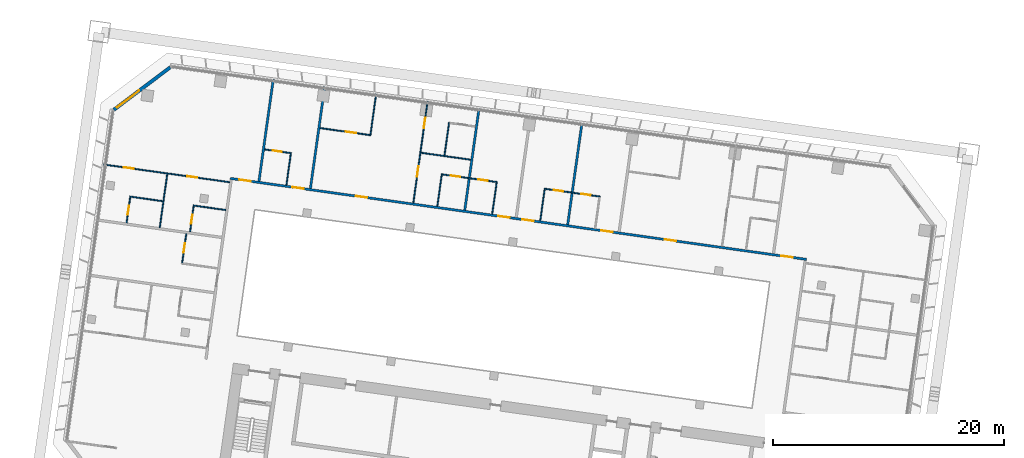
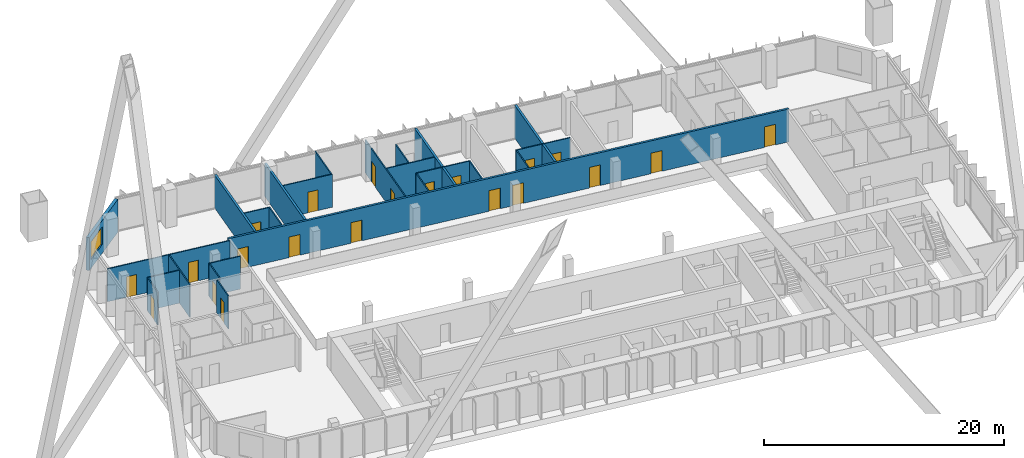
# One storey, part 40 of 49: 25 walls, 21 doors, 1 window, 22 openings.
"""IFC4 building model written with IfcOpenShell, lengths in metres."""

from ifc_helpers import new_model, si_unit, direction, frame, frame_2d, origin, place, context, subcontext, project, spatial, rectangle, extrude, material, layer, layer_set, type_object, element, fill, save


model = new_model("IFC4")

# Units and contexts
model_context = context("Model", 3, precision=1e-05, world=origin(), true_north=direction((0.0, 1.0)))
body_context = subcontext(model_context, "Body", "Model", "MODEL_VIEW")
ifc_project = project(units=[si_unit("LENGTHUNIT", "METRE"), si_unit("AREAUNIT", "SQUARE_METRE"), si_unit("VOLUMEUNIT", "CUBIC_METRE"), si_unit("PLANEANGLEUNIT", "RADIAN"), si_unit("MASSUNIT", "GRAM", prefix="KILO")], contexts=[model_context])

# Site, building, storey
site_placement = place(None, origin())
site = spatial("IfcSite", under=ifc_project, at=site_placement, CompositionType="ELEMENT")
building_placement = place(site_placement, origin())
building = spatial("IfcBuilding", under=site, at=building_placement, Name="Mirante Cascada Hotel Towers", CompositionType="ELEMENT")
storey_placement = place(building_placement, frame((0.0, 0.0, 66.1)))
storey = spatial("IfcBuildingStorey", under=building, at=storey_placement, Name="L13", CompositionType="ELEMENT", Elevation=66.1)

# Wall, openings, doors
ifc_material_1 = material(Name="Fire-rated plasterboard on metal studs")
ifc_layer_1 = layer(ifc_material_1, 0.2)
ifc_layer_set_1 = layer_set([ifc_layer_1], Name="Compartment wall 200 EI 120")
wall_type_1 = type_object("IfcWallType", Name="Compartment wall 200 EI 120", PredefinedType="PARTITIONING", material=ifc_layer_set_1)
wall_1_placement = place(storey_placement, frame((-39.1051, 9.3779, 0.0), z_axis=(0.0, 0.0, 1.0), x_axis=(-0.9902681, 0.1391727, 0.0)))
wall_1 = element("IfcWall", 1, at=wall_1_placement, inside=storey, type_object=wall_type_1, Name="Wall 1-L13-20", PredefinedType="PARTITIONING", context=body_context, shape_type="SweptSolid", body=[
    extrude(rectangle(XDim=50.4, YDim=0.2, at=frame_2d((25.2, 0.0))), origin(), (0.0, 0.0, 1.0), 3.35),
])
opening_1_placement = place(wall_1_placement, frame((1.2, 0.0, 0.0)))
opening_1 = element("IfcOpeningElement", 2, at=opening_1_placement, cuts=wall_1, Name="Opening D1-L13-12", PredefinedType="OPENING", context=body_context, shape_type="SweptSolid", body=[
    extrude(rectangle(XDim=1.0, YDim=2.1, at=frame_2d((0.5, 1.05))), frame((0.0, 0.1, 0.0), z_axis=(0.0, -1.0, 0.0), x_axis=(1.0, 0.0, 0.0)), (0.0, 0.0, 1.0), 0.2),
])
opening_2_placement = place(wall_1_placement, frame((11.4, 0.0, 0.0)))
opening_2 = element("IfcOpeningElement", 3, at=opening_2_placement, cuts=wall_1, Name="Opening D1-L13-13", PredefinedType="OPENING", context=body_context, shape_type="SweptSolid", body=[
    extrude(rectangle(XDim=1.0, YDim=2.1, at=frame_2d((0.5, 1.05))), frame((0.0, 0.1, 0.0), z_axis=(0.0, -1.0, 0.0), x_axis=(1.0, 0.0, 0.0)), (0.0, 0.0, 1.0), 0.2),
])
opening_3_placement = place(wall_1_placement, frame((16.95, 0.0, 0.0)))
opening_3 = element("IfcOpeningElement", 4, at=opening_3_placement, cuts=wall_1, Name="Opening D1-L13-14", PredefinedType="OPENING", context=body_context, shape_type="SweptSolid", body=[
    extrude(rectangle(XDim=1.0, YDim=2.1, at=frame_2d((0.5, 1.05))), frame((0.0, 0.1, 0.0), z_axis=(0.0, -1.0, 0.0), x_axis=(1.0, 0.0, 0.0)), (0.0, 0.0, 1.0), 0.2),
])
opening_4_placement = place(wall_1_placement, frame((23.85, 0.0, 0.0)))
opening_4 = element("IfcOpeningElement", 5, at=opening_4_placement, cuts=wall_1, Name="Opening D1-L13-15", PredefinedType="OPENING", context=body_context, shape_type="SweptSolid", body=[
    extrude(rectangle(XDim=1.0, YDim=2.1, at=frame_2d((0.5, 1.05))), frame((0.0, 0.1, 0.0), z_axis=(0.0, -1.0, 0.0), x_axis=(1.0, 0.0, 0.0)), (0.0, 0.0, 1.0), 0.2),
])
opening_5_placement = place(wall_1_placement, frame((25.95, 0.0, 0.0)))
opening_5 = element("IfcOpeningElement", 6, at=opening_5_placement, cuts=wall_1, Name="Opening D1-L13-16", PredefinedType="OPENING", context=body_context, shape_type="SweptSolid", body=[
    extrude(rectangle(XDim=1.0, YDim=2.1, at=frame_2d((0.5, 1.05))), frame((0.0, 0.1, 0.0), z_axis=(0.0, -1.0, 0.0), x_axis=(1.0, 0.0, 0.0)), (0.0, 0.0, 1.0), 0.2),
])
opening_6_placement = place(wall_1_placement, frame((38.4, 0.0, 0.0)))
opening_6 = element("IfcOpeningElement", 7, at=opening_6_placement, cuts=wall_1, Name="Opening D1-L13-17", PredefinedType="OPENING", context=body_context, shape_type="SweptSolid", body=[
    extrude(rectangle(XDim=1.0, YDim=2.1, at=frame_2d((0.5, 1.05))), frame((0.0, 0.1, 0.0), z_axis=(0.0, -1.0, 0.0), x_axis=(1.0, 0.0, 0.0)), (0.0, 0.0, 1.0), 0.2),
])
opening_7_placement = place(wall_1_placement, frame((43.95, 0.0, 0.0)))
opening_7 = element("IfcOpeningElement", 8, at=opening_7_placement, cuts=wall_1, Name="Opening D1-L13-18", PredefinedType="OPENING", context=body_context, shape_type="SweptSolid", body=[
    extrude(rectangle(XDim=1.0, YDim=2.1, at=frame_2d((0.5, 1.05))), frame((0.0, 0.1, 0.0), z_axis=(0.0, -1.0, 0.0), x_axis=(1.0, 0.0, 0.0)), (0.0, 0.0, 1.0), 0.2),
])
opening_8_placement = place(wall_1_placement, frame((48.6, 0.0, 0.0)))
opening_8 = element("IfcOpeningElement", 9, at=opening_8_placement, cuts=wall_1, Name="Opening D1-L13-19", PredefinedType="OPENING", context=body_context, shape_type="SweptSolid", body=[
    extrude(rectangle(XDim=1.0, YDim=2.1, at=frame_2d((0.5, 1.05))), frame((0.0, 0.1, 0.0), z_axis=(0.0, -1.0, 0.0), x_axis=(1.0, 0.0, 0.0)), (0.0, 0.0, 1.0), 0.2),
])
ifc_material_2 = material(Name="Fire-rated timber door leaf", Category="wood")
door_type_1 = type_object("IfcDoorType", Name="Entrance door DG1 1000x2100 EI 60", OperationType="SINGLE_SWING_LEFT", PredefinedType="DOOR", material=ifc_material_2)
door_1_placement = place(opening_1_placement, frame((1.0, 0.0, 0.0), z_axis=(0.0, 0.0, 1.0), x_axis=(-1.0, 0.0, 0.0)))
door_1 = element("IfcDoor", 10, at=door_1_placement, inside=storey, type_object=door_type_1, Name="Door D1-L13-12", OperationType="SINGLE_SWING_RIGHT", OverallHeight=2.1, OverallWidth=1.0, PredefinedType="DOOR", context=body_context, shape_type="SweptSolid", body=[
    extrude(rectangle(XDim=1.0, YDim=2.1, at=frame_2d((0.5, 1.05))), frame((0.0, 0.025, 0.0), z_axis=(0.0, -1.0, 0.0), x_axis=(1.0, 0.0, 0.0)), (0.0, 0.0, 1.0), 0.05),
])
fill(opening_1, door_1)
door_2_placement = place(opening_2_placement, frame((1.0, 0.0, 0.0), z_axis=(0.0, 0.0, 1.0), x_axis=(-1.0, 0.0, 0.0)))
door_2 = element("IfcDoor", 11, at=door_2_placement, inside=storey, type_object=door_type_1, Name="Door D1-L13-13", OperationType="SINGLE_SWING_RIGHT", OverallHeight=2.1, OverallWidth=1.0, PredefinedType="DOOR", context=body_context, shape_type="SweptSolid", body=[
    extrude(rectangle(XDim=1.0, YDim=2.1, at=frame_2d((0.5, 1.05))), frame((0.0, 0.025, 0.0), z_axis=(0.0, -1.0, 0.0), x_axis=(1.0, 0.0, 0.0)), (0.0, 0.0, 1.0), 0.05),
])
fill(opening_2, door_2)
door_3_placement = place(opening_3_placement, frame((1.0, 0.0, 0.0), z_axis=(0.0, 0.0, 1.0), x_axis=(-1.0, 0.0, 0.0)))
door_3 = element("IfcDoor", 12, at=door_3_placement, inside=storey, type_object=door_type_1, Name="Door D1-L13-14", OperationType="SINGLE_SWING_RIGHT", OverallHeight=2.1, OverallWidth=1.0, PredefinedType="DOOR", context=body_context, shape_type="SweptSolid", body=[
    extrude(rectangle(XDim=1.0, YDim=2.1, at=frame_2d((0.5, 1.05))), frame((0.0, 0.025, 0.0), z_axis=(0.0, -1.0, 0.0), x_axis=(1.0, 0.0, 0.0)), (0.0, 0.0, 1.0), 0.05),
])
fill(opening_3, door_3)
door_4_placement = place(opening_4_placement, frame((1.0, 0.0, 0.0), z_axis=(0.0, 0.0, 1.0), x_axis=(-1.0, 0.0, 0.0)))
door_4 = element("IfcDoor", 13, at=door_4_placement, inside=storey, type_object=door_type_1, Name="Door D1-L13-15", OperationType="SINGLE_SWING_RIGHT", OverallHeight=2.1, OverallWidth=1.0, PredefinedType="DOOR", context=body_context, shape_type="SweptSolid", body=[
    extrude(rectangle(XDim=1.0, YDim=2.1, at=frame_2d((0.5, 1.05))), frame((0.0, 0.025, 0.0), z_axis=(0.0, -1.0, 0.0), x_axis=(1.0, 0.0, 0.0)), (0.0, 0.0, 1.0), 0.05),
])
fill(opening_4, door_4)
door_5_placement = place(opening_5_placement, frame((1.0, 0.0, 0.0), z_axis=(0.0, 0.0, 1.0), x_axis=(-1.0, 0.0, 0.0)))
door_5 = element("IfcDoor", 14, at=door_5_placement, inside=storey, type_object=door_type_1, Name="Door D1-L13-16", OperationType="SINGLE_SWING_RIGHT", OverallHeight=2.1, OverallWidth=1.0, PredefinedType="DOOR", context=body_context, shape_type="SweptSolid", body=[
    extrude(rectangle(XDim=1.0, YDim=2.1, at=frame_2d((0.5, 1.05))), frame((0.0, 0.025, 0.0), z_axis=(0.0, -1.0, 0.0), x_axis=(1.0, 0.0, 0.0)), (0.0, 0.0, 1.0), 0.05),
])
fill(opening_5, door_5)
door_6_placement = place(opening_6_placement, frame((1.0, 0.0, 0.0), z_axis=(0.0, 0.0, 1.0), x_axis=(-1.0, 0.0, 0.0)))
door_6 = element("IfcDoor", 15, at=door_6_placement, inside=storey, type_object=door_type_1, Name="Door D1-L13-17", OperationType="SINGLE_SWING_RIGHT", OverallHeight=2.1, OverallWidth=1.0, PredefinedType="DOOR", context=body_context, shape_type="SweptSolid", body=[
    extrude(rectangle(XDim=1.0, YDim=2.1, at=frame_2d((0.5, 1.05))), frame((0.0, 0.025, 0.0), z_axis=(0.0, -1.0, 0.0), x_axis=(1.0, 0.0, 0.0)), (0.0, 0.0, 1.0), 0.05),
])
fill(opening_6, door_6)
door_7_placement = place(opening_7_placement, frame((1.0, 0.0, 0.0), z_axis=(0.0, 0.0, 1.0), x_axis=(-1.0, 0.0, 0.0)))
door_7 = element("IfcDoor", 16, at=door_7_placement, inside=storey, type_object=door_type_1, Name="Door D1-L13-18", OperationType="SINGLE_SWING_RIGHT", OverallHeight=2.1, OverallWidth=1.0, PredefinedType="DOOR", context=body_context, shape_type="SweptSolid", body=[
    extrude(rectangle(XDim=1.0, YDim=2.1, at=frame_2d((0.5, 1.05))), frame((0.0, 0.025, 0.0), z_axis=(0.0, -1.0, 0.0), x_axis=(1.0, 0.0, 0.0)), (0.0, 0.0, 1.0), 0.05),
])
fill(opening_7, door_7)
door_8_placement = place(opening_8_placement, frame((1.0, 0.0, 0.0), z_axis=(0.0, 0.0, 1.0), x_axis=(-1.0, 0.0, 0.0)))
door_8 = element("IfcDoor", 17, at=door_8_placement, inside=storey, type_object=door_type_1, Name="Door D1-L13-19", OperationType="SINGLE_SWING_RIGHT", OverallHeight=2.1, OverallWidth=1.0, PredefinedType="DOOR", context=body_context, shape_type="SweptSolid", body=[
    extrude(rectangle(XDim=1.0, YDim=2.1, at=frame_2d((0.5, 1.05))), frame((0.0, 0.025, 0.0), z_axis=(0.0, -1.0, 0.0), x_axis=(1.0, 0.0, 0.0)), (0.0, 0.0, 1.0), 0.05),
])
fill(opening_8, door_8)

# Walls
wall_2_placement = place(storey_placement, frame((-58.5492, 21.199, 0.0), z_axis=(0.0, 0.0, 1.0), x_axis=(-0.13917, -0.9902685, 0.0)))
element("IfcWall", 18, at=wall_2_placement, inside=storey, type_object=wall_type_1, Name="Wall 1-L13-43", PredefinedType="PARTITIONING", context=body_context, shape_type="SweptSolid", body=[
    extrude(rectangle(XDim=8.8999, YDim=0.2, at=frame_2d((4.45, 0.0))), origin(), (0.0, 0.0, 1.0), 3.35),
])
wall_3_placement = place(storey_placement, frame((-67.4616, 22.4516, 0.0), z_axis=(0.0, 0.0, 1.0), x_axis=(-0.1391684, -0.9902687, 0.0)))
element("IfcWall", 19, at=wall_3_placement, inside=storey, type_object=wall_type_1, Name="Wall 1-L13-47", PredefinedType="PARTITIONING", context=body_context, shape_type="SweptSolid", body=[
    extrude(rectangle(XDim=8.9, YDim=0.2, at=frame_2d((4.45, 0.0))), origin(), (0.0, 0.0, 1.0), 3.35),
])
wall_4_placement = place(storey_placement, frame((-82.0688, 15.5171, 0.0), z_axis=(0.0, 0.0, 1.0), x_axis=(0.13917, 0.9902685, 0.0)))
element("IfcWall", 20, at=wall_4_placement, inside=storey, type_object=wall_type_1, Name="Wall 1-L13-52", PredefinedType="PARTITIONING", context=body_context, shape_type="SweptSolid", body=[
    extrude(rectangle(XDim=8.8999, YDim=0.2, at=frame_2d((4.45, 0.0))), origin(), (0.0, 0.0, 1.0), 3.35),
])
wall_5_placement = place(storey_placement, frame((-86.525, 16.1433, 0.0), z_axis=(0.0, 0.0, 1.0), x_axis=(0.1391684, 0.9902687, 0.0)))
element("IfcWall", 21, at=wall_5_placement, inside=storey, type_object=wall_type_1, Name="Wall 1-L13-54", PredefinedType="PARTITIONING", context=body_context, shape_type="SweptSolid", body=[
    extrude(rectangle(XDim=8.9, YDim=0.2, at=frame_2d((4.45, 0.0))), origin(), (0.0, 0.0, 1.0), 3.35),
])
ifc_material_3 = material(Name="Plasterboard on metal studs")
ifc_layer_2 = layer(ifc_material_3, 0.1)
ifc_layer_set_2 = layer_set([ifc_layer_2], Name="Partition 100")
wall_type_2 = type_object("IfcWallType", Name="Partition 100", PredefinedType="PARTITIONING", material=ifc_layer_set_2)
wall_6_placement = place(storey_placement, frame((-89.3997, 13.6525, 0.0), z_axis=(0.0, 0.0, 1.0), x_axis=(-0.9902697, 0.1391613, 0.0)))
element("IfcWall", 22, at=wall_6_placement, inside=storey, type_object=wall_type_2, Name="Wall 1-L13-16", PredefinedType="PARTITIONING", context=body_context, shape_type="SweptSolid", body=[
    extrude(rectangle(XDim=2.8499, YDim=0.1, at=frame_2d((1.425, 0.0))), origin(), (0.0, 0.0, 1.0), 3.35),
])
wall_7_placement = place(storey_placement, frame((-97.7179, 14.8215, 0.0), z_axis=(0.0, 0.0, 1.0), x_axis=(0.9902683, -0.1391714, 0.0)))
element("IfcWall", 23, at=wall_7_placement, inside=storey, type_object=wall_type_2, Name="Wall 1-L13-17", PredefinedType="PARTITIONING", context=body_context, shape_type="SweptSolid", body=[
    extrude(rectangle(XDim=2.9, YDim=0.1, at=frame_2d((1.45, 0.0))), origin(), (0.0, 0.0, 1.0), 3.35),
])

# Wall, openings, doors
wall_8_placement = place(storey_placement, frame((-99.954, 17.5931, 0.0), z_axis=(0.0, 0.0, 1.0), x_axis=(0.9902682, -0.1391721, 0.0)))
wall_8 = element("IfcWall", 24, at=wall_8_placement, inside=storey, type_object=wall_type_2, Name="Wall 1-L13-19", PredefinedType="PARTITIONING", context=body_context, shape_type="SweptSolid", body=[
    extrude(rectangle(XDim=11.0001, YDim=0.1, at=frame_2d((5.5, 0.0))), origin(), (0.0, 0.0, 1.0), 3.35),
])
opening_9_placement = place(wall_8_placement, frame((7.275, 0.0, 0.0)))
opening_9 = element("IfcOpeningElement", 25, at=opening_9_placement, cuts=wall_8, Name="Opening D1-L13-10", PredefinedType="OPENING", context=body_context, shape_type="SweptSolid", body=[
    extrude(rectangle(XDim=0.9, YDim=2.1, at=frame_2d((0.45, 1.05))), frame((0.0, 0.05, 0.0), z_axis=(0.0, -1.0, 0.0), x_axis=(1.0, 0.0, 0.0)), (0.0, 0.0, 1.0), 0.1),
])
opening_10_placement = place(wall_8_placement, frame((1.725, 0.0, 0.0)))
opening_10 = element("IfcOpeningElement", 26, at=opening_10_placement, cuts=wall_8, Name="Opening D1-L13-11", PredefinedType="OPENING", context=body_context, shape_type="SweptSolid", body=[
    extrude(rectangle(XDim=0.9, YDim=2.1, at=frame_2d((0.45, 1.05))), frame((0.0, 0.05, 0.0), z_axis=(0.0, -1.0, 0.0), x_axis=(1.0, 0.0, 0.0)), (0.0, 0.0, 1.0), 0.1),
])
ifc_material_4 = material(Name="Timber door leaf", Category="wood")
door_type_2 = type_object("IfcDoorType", Name="Room door DG3 900x2100", OperationType="SINGLE_SWING_LEFT", PredefinedType="DOOR", material=ifc_material_4)
door_9_placement = place(opening_9_placement, origin())
door_9 = element("IfcDoor", 27, at=door_9_placement, inside=storey, type_object=door_type_2, Name="Door D1-L13-10", OperationType="SINGLE_SWING_LEFT", OverallHeight=2.1, OverallWidth=0.9, PredefinedType="DOOR", context=body_context, shape_type="SweptSolid", body=[
    extrude(rectangle(XDim=0.9, YDim=2.1, at=frame_2d((0.45, 1.05))), frame((0.0, 0.025, 0.0), z_axis=(0.0, -1.0, 0.0), x_axis=(1.0, 0.0, 0.0)), (0.0, 0.0, 1.0), 0.05),
])
fill(opening_9, door_9)
door_10_placement = place(opening_10_placement, origin())
door_10 = element("IfcDoor", 28, at=door_10_placement, inside=storey, type_object=door_type_2, Name="Door D1-L13-11", OperationType="SINGLE_SWING_LEFT", OverallHeight=2.1, OverallWidth=0.9, PredefinedType="DOOR", context=body_context, shape_type="SweptSolid", body=[
    extrude(rectangle(XDim=0.9, YDim=2.1, at=frame_2d((0.45, 1.05))), frame((0.0, 0.025, 0.0), z_axis=(0.0, -1.0, 0.0), x_axis=(1.0, 0.0, 0.0)), (0.0, 0.0, 1.0), 0.05),
])
fill(opening_10, door_10)

wall_9_placement = place(storey_placement, frame((-56.972, 14.8174, 0.0), z_axis=(0.0, 0.0, 1.0), x_axis=(-0.9902666, 0.1391838, 0.0)))
wall_9 = element("IfcWall", 29, at=wall_9_placement, inside=storey, type_object=wall_type_2, Name="Wall 1-L13-22", PredefinedType="PARTITIONING", context=body_context, shape_type="SweptSolid", body=[
    extrude(rectangle(XDim=4.9, YDim=0.1, at=frame_2d((2.45, 0.0))), origin(), (0.0, 0.0, 1.0), 3.35),
])
opening_11_placement = place(wall_9_placement, frame((0.85, 0.0, 0.0)))
opening_11 = element("IfcOpeningElement", 30, at=opening_11_placement, cuts=wall_9, Name="Opening D1-L13-21", PredefinedType="OPENING", context=body_context, shape_type="SweptSolid", body=[
    extrude(rectangle(XDim=0.8, YDim=2.1, at=frame_2d((0.4, 1.05))), frame((0.0, 0.05, 0.0), z_axis=(0.0, -1.0, 0.0), x_axis=(1.0, 0.0, 0.0)), (0.0, 0.0, 1.0), 0.1),
])
opening_12_placement = place(wall_9_placement, frame((3.25, 0.0, 0.0)))
opening_12 = element("IfcOpeningElement", 31, at=opening_12_placement, cuts=wall_9, Name="Opening D1-L13-22", PredefinedType="OPENING", context=body_context, shape_type="SweptSolid", body=[
    extrude(rectangle(XDim=0.8, YDim=2.1, at=frame_2d((0.4, 1.05))), frame((0.0, 0.05, 0.0), z_axis=(0.0, -1.0, 0.0), x_axis=(1.0, 0.0, 0.0)), (0.0, 0.0, 1.0), 0.1),
])
ifc_material_5 = material(Name="Timber door leaf", Category="wood")
door_type_3 = type_object("IfcDoorType", Name="Bathroom door DG4 800x2100", OperationType="SINGLE_SWING_LEFT", PredefinedType="DOOR", material=ifc_material_5)
door_11_placement = place(opening_11_placement, frame((0.8, 0.0, 0.0), z_axis=(0.0, 0.0, 1.0), x_axis=(-1.0, 0.0, 0.0)))
door_11 = element("IfcDoor", 32, at=door_11_placement, inside=storey, type_object=door_type_3, Name="Door D1-L13-21", OperationType="SINGLE_SWING_RIGHT", OverallHeight=2.1, OverallWidth=0.8, PredefinedType="DOOR", context=body_context, shape_type="SweptSolid", body=[
    extrude(rectangle(XDim=0.8, YDim=2.1, at=frame_2d((0.4, 1.05))), frame((0.0, 0.025, 0.0), z_axis=(0.0, -1.0, 0.0), x_axis=(1.0, 0.0, 0.0)), (0.0, 0.0, 1.0), 0.05),
])
fill(opening_11, door_11)
door_12_placement = place(opening_12_placement, frame((0.8, 0.0, 0.0), z_axis=(0.0, 0.0, 1.0), x_axis=(-1.0, 0.0, 0.0)))
door_12 = element("IfcDoor", 33, at=door_12_placement, inside=storey, type_object=door_type_3, Name="Door D1-L13-22", OperationType="SINGLE_SWING_RIGHT", OverallHeight=2.1, OverallWidth=0.8, PredefinedType="DOOR", context=body_context, shape_type="SweptSolid", body=[
    extrude(rectangle(XDim=0.8, YDim=2.1, at=frame_2d((0.4, 1.05))), frame((0.0, 0.025, 0.0), z_axis=(0.0, -1.0, 0.0), x_axis=(1.0, 0.0, 0.0)), (0.0, 0.0, 1.0), 0.05),
])
fill(opening_12, door_12)

wall_10_placement = place(storey_placement, frame((-70.7367, 16.7519, 0.0), z_axis=(0.0, 0.0, 1.0), x_axis=(0.9902694, -0.1391638, 0.0)))
wall_10 = element("IfcWall", 34, at=wall_10_placement, inside=storey, type_object=wall_type_2, Name="Wall 1-L13-23", PredefinedType="PARTITIONING", context=body_context, shape_type="SweptSolid", body=[
    extrude(rectangle(XDim=4.9, YDim=0.1, at=frame_2d((2.45, 0.0))), origin(), (0.0, 0.0, 1.0), 3.35),
])
opening_13_placement = place(wall_10_placement, frame((3.25, 0.0, 0.0)))
opening_13 = element("IfcOpeningElement", 35, at=opening_13_placement, cuts=wall_10, Name="Opening D1-L13-23", PredefinedType="OPENING", context=body_context, shape_type="SweptSolid", body=[
    extrude(rectangle(XDim=0.8, YDim=2.1, at=frame_2d((0.4, 1.05))), frame((0.0, 0.05, 0.0), z_axis=(0.0, -1.0, 0.0), x_axis=(1.0, 0.0, 0.0)), (0.0, 0.0, 1.0), 0.1),
])
opening_14_placement = place(wall_10_placement, frame((0.85, 0.0, 0.0)))
opening_14 = element("IfcOpeningElement", 36, at=opening_14_placement, cuts=wall_10, Name="Opening D1-L13-24", PredefinedType="OPENING", context=body_context, shape_type="SweptSolid", body=[
    extrude(rectangle(XDim=0.8, YDim=2.1, at=frame_2d((0.4, 1.05))), frame((0.0, 0.05, 0.0), z_axis=(0.0, -1.0, 0.0), x_axis=(1.0, 0.0, 0.0)), (0.0, 0.0, 1.0), 0.1),
])
door_13_placement = place(opening_13_placement, origin())
door_13 = element("IfcDoor", 37, at=door_13_placement, inside=storey, type_object=door_type_3, Name="Door D1-L13-23", OperationType="SINGLE_SWING_LEFT", OverallHeight=2.1, OverallWidth=0.8, PredefinedType="DOOR", context=body_context, shape_type="SweptSolid", body=[
    extrude(rectangle(XDim=0.8, YDim=2.1, at=frame_2d((0.4, 1.05))), frame((0.0, 0.025, 0.0), z_axis=(0.0, -1.0, 0.0), x_axis=(1.0, 0.0, 0.0)), (0.0, 0.0, 1.0), 0.05),
])
fill(opening_13, door_13)
door_14_placement = place(opening_14_placement, frame((0.8, 0.0, 0.0), z_axis=(0.0, 0.0, 1.0), x_axis=(-1.0, 0.0, 0.0)))
door_14 = element("IfcDoor", 38, at=door_14_placement, inside=storey, type_object=door_type_3, Name="Door D1-L13-24", OperationType="SINGLE_SWING_RIGHT", OverallHeight=2.1, OverallWidth=0.8, PredefinedType="DOOR", context=body_context, shape_type="SweptSolid", body=[
    extrude(rectangle(XDim=0.8, YDim=2.1, at=frame_2d((0.4, 1.05))), frame((0.0, 0.025, 0.0), z_axis=(0.0, -1.0, 0.0), x_axis=(1.0, 0.0, 0.0)), (0.0, 0.0, 1.0), 0.05),
])
fill(opening_14, door_14)

# Wall, opening, door
wall_11_placement = place(storey_placement, frame((-83.8082, 18.589, 0.0), z_axis=(0.0, 0.0, 1.0), x_axis=(-0.9902643, 0.1391997, 0.0)))
wall_11 = element("IfcWall", 39, at=wall_11_placement, inside=storey, type_object=wall_type_2, Name="Wall 1-L13-24", PredefinedType="PARTITIONING", context=body_context, shape_type="SweptSolid", body=[
    extrude(rectangle(XDim=2.25, YDim=0.1, at=frame_2d((1.125, 0.0))), origin(), (0.0, 0.0, 1.0), 3.35),
])
opening_15_placement = place(wall_11_placement, frame((0.75, 0.0, 0.0)))
opening_15 = element("IfcOpeningElement", 40, at=opening_15_placement, cuts=wall_11, Name="Opening D1-L13-25", PredefinedType="OPENING", context=body_context, shape_type="SweptSolid", body=[
    extrude(rectangle(XDim=0.8, YDim=2.1, at=frame_2d((0.4, 1.05))), frame((0.0, 0.05, 0.0), z_axis=(0.0, -1.0, 0.0), x_axis=(1.0, 0.0, 0.0)), (0.0, 0.0, 1.0), 0.1),
])
door_15_placement = place(opening_15_placement, frame((0.8, 0.0, 0.0), z_axis=(0.0, 0.0, 1.0), x_axis=(-1.0, 0.0, 0.0)))
door_15 = element("IfcDoor", 41, at=door_15_placement, inside=storey, type_object=door_type_3, Name="Door D1-L13-25", OperationType="SINGLE_SWING_RIGHT", OverallHeight=2.1, OverallWidth=0.8, PredefinedType="DOOR", context=body_context, shape_type="SweptSolid", body=[
    extrude(rectangle(XDim=0.8, YDim=2.1, at=frame_2d((0.4, 1.05))), frame((0.0, 0.025, 0.0), z_axis=(0.0, -1.0, 0.0), x_axis=(1.0, 0.0, 0.0)), (0.0, 0.0, 1.0), 0.05),
])
fill(opening_15, door_15)

# Wall
wall_12_placement = place(storey_placement, frame((-68.1869, 18.0093, 0.0), z_axis=(0.0, 0.0, 1.0), x_axis=(-0.9902679, 0.1391745, 0.0)))
element("IfcWall", 42, at=wall_12_placement, inside=storey, type_object=wall_type_2, Name="Wall 1-L13-26", PredefinedType="PARTITIONING", context=body_context, shape_type="SweptSolid", body=[
    extrude(rectangle(XDim=4.3499, YDim=0.1, at=frame_2d((2.175, 0.0))), origin(), (0.0, 0.0, 1.0), 3.35),
])

# Wall, opening, door
wall_13_placement = place(storey_placement, frame((-76.8255, 20.1322, 0.0), z_axis=(0.0, 0.0, 1.0), x_axis=(-0.9902656, 0.1391904, 0.0)))
wall_13 = element("IfcWall", 43, at=wall_13_placement, inside=storey, type_object=wall_type_2, Name="Wall 1-L13-28", PredefinedType="PARTITIONING", context=body_context, shape_type="SweptSolid", body=[
    extrude(rectangle(XDim=4.45, YDim=0.1, at=frame_2d((2.225, 0.0))), origin(), (0.0, 0.0, 1.0), 3.35),
])
opening_16_placement = place(wall_13_placement, frame((1.3, 0.0, 0.0)))
opening_16 = element("IfcOpeningElement", 44, at=opening_16_placement, cuts=wall_13, Name="Opening D1-L13-27", PredefinedType="OPENING", context=body_context, shape_type="SweptSolid", body=[
    extrude(rectangle(XDim=0.9, YDim=2.1, at=frame_2d((0.45, 1.05))), frame((0.0, 0.05, 0.0), z_axis=(0.0, -1.0, 0.0), x_axis=(1.0, 0.0, 0.0)), (0.0, 0.0, 1.0), 0.1),
])
door_16_placement = place(opening_16_placement, origin())
door_16 = element("IfcDoor", 45, at=door_16_placement, inside=storey, type_object=door_type_2, Name="Door D1-L13-27", OperationType="SINGLE_SWING_LEFT", OverallHeight=2.1, OverallWidth=0.9, PredefinedType="DOOR", context=body_context, shape_type="SweptSolid", body=[
    extrude(rectangle(XDim=0.9, YDim=2.1, at=frame_2d((0.45, 1.05))), frame((0.0, 0.025, 0.0), z_axis=(0.0, -1.0, 0.0), x_axis=(1.0, 0.0, 0.0)), (0.0, 0.0, 1.0), 0.05),
])
fill(opening_16, door_16)

# Walls
for number, where, z_axis, x_axis, name in (
    (46, (-62.1644, 12.7197, 0.0), (0.0, 0.0, 1.0), (0.1391657, 0.9902691, 0.0), "Wall 1-L13-44"),
    (47, (-66.3236, 13.3042, 0.0), (0.0, 0.0, 1.0), (0.1392013, 0.9902641, 0.0), "Wall 1-L13-46"),
):
    element("IfcWall", number, at=place(storey_placement, frame(where, z_axis=z_axis, x_axis=x_axis)), inside=storey, type_object=wall_type_2, Name=name, PredefinedType="PARTITIONING", context=body_context, shape_type="SweptSolid", body=[
        extrude(rectangle(XDim=2.75, YDim=0.1, at=frame_2d((1.375, 0.0))), origin(), (0.0, 0.0, 1.0), 3.35),
    ])
wall_14_placement = place(storey_placement, frame((-71.0769, 13.9722, 0.0), z_axis=(0.0, 0.0, 1.0), x_axis=(0.1391963, 0.9902648, 0.0)))
element("IfcWall", 48, at=wall_14_placement, inside=storey, type_object=wall_type_2, Name="Wall 1-L13-48", PredefinedType="PARTITIONING", context=body_context, shape_type="SweptSolid", body=[
    extrude(rectangle(XDim=2.7501, YDim=0.1, at=frame_2d((1.3751, 0.0))), origin(), (0.0, 0.0, 1.0), 3.35),
])
wall_15_placement = place(storey_placement, frame((-70.0539, 21.2507, 0.0), z_axis=(0.0, 0.0, 1.0), x_axis=(-0.1391714, -0.9902683, 0.0)))
element("IfcWall", 49, at=wall_15_placement, inside=storey, type_object=wall_type_2, Name="Wall 1-L13-49", PredefinedType="PARTITIONING", context=body_context, shape_type="SweptSolid", body=[
    extrude(rectangle(XDim=2.9, YDim=0.1, at=frame_2d((1.45, 0.0))), origin(), (0.0, 0.0, 1.0), 3.35),
])

# Wall, openings, doors
wall_16_placement = place(storey_placement, frame((-73.1564, 14.2645, 0.0), z_axis=(0.0, 0.0, 1.0), x_axis=(0.1391684, 0.9902687, 0.0)))
wall_16 = element("IfcWall", 50, at=wall_16_placement, inside=storey, type_object=wall_type_2, Name="Wall 1-L13-50", PredefinedType="PARTITIONING", context=body_context, shape_type="SweptSolid", body=[
    extrude(rectangle(XDim=8.9, YDim=0.1, at=frame_2d((4.45, 0.0))), origin(), (0.0, 0.0, 1.0), 3.35),
])
opening_17_placement = place(wall_16_placement, frame((2.3, 0.0, 0.0)))
opening_17 = element("IfcOpeningElement", 51, at=opening_17_placement, cuts=wall_16, Name="Opening D1-L13-36", PredefinedType="OPENING", context=body_context, shape_type="SweptSolid", body=[
    extrude(rectangle(XDim=0.9, YDim=2.1, at=frame_2d((0.45, 1.05))), frame((0.0, 0.05, 0.0), z_axis=(0.0, -1.0, 0.0), x_axis=(1.0, 0.0, 0.0)), (0.0, 0.0, 1.0), 0.1),
])
opening_18_placement = place(wall_16_placement, frame((6.55, 0.0, 0.0)))
opening_18 = element("IfcOpeningElement", 52, at=opening_18_placement, cuts=wall_16, Name="Opening D1-L13-37", PredefinedType="OPENING", context=body_context, shape_type="SweptSolid", body=[
    extrude(rectangle(XDim=0.9, YDim=2.1, at=frame_2d((0.45, 1.05))), frame((0.0, 0.05, 0.0), z_axis=(0.0, -1.0, 0.0), x_axis=(1.0, 0.0, 0.0)), (0.0, 0.0, 1.0), 0.1),
])
door_17_placement = place(opening_17_placement, origin())
door_17 = element("IfcDoor", 53, at=door_17_placement, inside=storey, type_object=door_type_2, Name="Door D1-L13-36", OperationType="SINGLE_SWING_LEFT", OverallHeight=2.1, OverallWidth=0.9, PredefinedType="DOOR", context=body_context, shape_type="SweptSolid", body=[
    extrude(rectangle(XDim=0.9, YDim=2.1, at=frame_2d((0.45, 1.05))), frame((0.0, 0.025, 0.0), z_axis=(0.0, -1.0, 0.0), x_axis=(1.0, 0.0, 0.0)), (0.0, 0.0, 1.0), 0.05),
])
fill(opening_17, door_17)
door_18_placement = place(opening_18_placement, origin())
door_18 = element("IfcDoor", 54, at=door_18_placement, inside=storey, type_object=door_type_2, Name="Door D1-L13-37", OperationType="SINGLE_SWING_LEFT", OverallHeight=2.1, OverallWidth=0.9, PredefinedType="DOOR", context=body_context, shape_type="SweptSolid", body=[
    extrude(rectangle(XDim=0.9, YDim=2.1, at=frame_2d((0.45, 1.05))), frame((0.0, 0.025, 0.0), z_axis=(0.0, -1.0, 0.0), x_axis=(1.0, 0.0, 0.0)), (0.0, 0.0, 1.0), 0.05),
])
fill(opening_18, door_18)

# Walls
wall_17_placement = place(storey_placement, frame((-76.374, 23.7042, 0.0), z_axis=(0.0, 0.0, 1.0), x_axis=(-0.1391534, -0.9902708, 0.0)))
element("IfcWall", 55, at=wall_17_placement, inside=storey, type_object=wall_type_2, Name="Wall 1-L13-51", PredefinedType="PARTITIONING", context=body_context, shape_type="SweptSolid", body=[
    extrude(rectangle(XDim=3.55, YDim=0.1, at=frame_2d((1.775, 0.0))), origin(), (0.0, 0.0, 1.0), 3.35),
])
wall_18_placement = place(storey_placement, frame((-83.7517, 18.6316, 0.0), z_axis=(0.0, 0.0, 1.0), x_axis=(-0.1391909, -0.9902656, 0.0)))
element("IfcWall", 56, at=wall_18_placement, inside=storey, type_object=wall_type_2, Name="Wall 1-L13-53", PredefinedType="PARTITIONING", context=body_context, shape_type="SweptSolid", body=[
    extrude(rectangle(XDim=2.85, YDim=0.1, at=frame_2d((1.425, 0.0))), origin(), (0.0, 0.0, 1.0), 3.35),
])

# Wall, opening, door
wall_19_placement = place(storey_placement, frame((-92.1794, 13.9926, 0.0), z_axis=(0.0, 0.0, 1.0), x_axis=(-0.1391561, -0.9902705, 0.0)))
wall_19 = element("IfcWall", 57, at=wall_19_placement, inside=storey, type_object=wall_type_2, Name="Wall 1-L13-57", PredefinedType="PARTITIONING", context=body_context, shape_type="SweptSolid", body=[
    extrude(rectangle(XDim=2.25, YDim=0.1, at=frame_2d((1.125, 0.0))), origin(), (0.0, 0.0, 1.0), 3.35),
])
opening_19_placement = place(wall_19_placement, frame((0.75, 0.0, 0.0)))
opening_19 = element("IfcOpeningElement", 58, at=opening_19_placement, cuts=wall_19, Name="Opening D1-L13-41", PredefinedType="OPENING", context=body_context, shape_type="SweptSolid", body=[
    extrude(rectangle(XDim=0.8, YDim=2.1, at=frame_2d((0.4, 1.05))), frame((0.0, 0.05, 0.0), z_axis=(0.0, -1.0, 0.0), x_axis=(1.0, 0.0, 0.0)), (0.0, 0.0, 1.0), 0.1),
])
door_19_placement = place(opening_19_placement, origin())
door_19 = element("IfcDoor", 59, at=door_19_placement, inside=storey, type_object=door_type_3, Name="Door D1-L13-41", OperationType="SINGLE_SWING_LEFT", OverallHeight=2.1, OverallWidth=0.8, PredefinedType="DOOR", context=body_context, shape_type="SweptSolid", body=[
    extrude(rectangle(XDim=0.8, YDim=2.1, at=frame_2d((0.4, 1.05))), frame((0.0, 0.025, 0.0), z_axis=(0.0, -1.0, 0.0), x_axis=(1.0, 0.0, 0.0)), (0.0, 0.0, 1.0), 0.05),
])
fill(opening_19, door_19)

wall_20_placement = place(storey_placement, frame((-93.1723, 9.083, 0.0), z_axis=(0.0, 0.0, 1.0), x_axis=(0.1391755, 0.9902677, 0.0)))
wall_20 = element("IfcWall", 60, at=wall_20_placement, inside=storey, type_object=wall_type_2, Name="Wall 1-L13-58", PredefinedType="PARTITIONING", context=body_context, shape_type="SweptSolid", body=[
    extrude(rectangle(XDim=2.55, YDim=0.1, at=frame_2d((1.275, 0.0))), origin(), (0.0, 0.0, 1.0), 3.35),
])
opening_20_placement = place(wall_20_placement, frame((0.9, 0.0, 0.0)))
opening_20 = element("IfcOpeningElement", 61, at=opening_20_placement, cuts=wall_20, Name="Opening D1-L13-42", PredefinedType="OPENING", context=body_context, shape_type="SweptSolid", body=[
    extrude(rectangle(XDim=0.8, YDim=2.1, at=frame_2d((0.4, 1.05))), frame((0.0, 0.05, 0.0), z_axis=(0.0, -1.0, 0.0), x_axis=(1.0, 0.0, 0.0)), (0.0, 0.0, 1.0), 0.1),
])
door_20_placement = place(opening_20_placement, origin())
door_20 = element("IfcDoor", 62, at=door_20_placement, inside=storey, type_object=door_type_3, Name="Door D1-L13-42", OperationType="SINGLE_SWING_LEFT", OverallHeight=2.1, OverallWidth=0.8, PredefinedType="DOOR", context=body_context, shape_type="SweptSolid", body=[
    extrude(rectangle(XDim=0.8, YDim=2.1, at=frame_2d((0.4, 1.05))), frame((0.0, 0.025, 0.0), z_axis=(0.0, -1.0, 0.0), x_axis=(1.0, 0.0, 0.0)), (0.0, 0.0, 1.0), 0.05),
])
fill(opening_20, door_20)

# Wall
wall_21_placement = place(storey_placement, frame((-95.1167, 12.1333, 0.0), z_axis=(0.0, 0.0, 1.0), x_axis=(0.1391701, 0.9902685, 0.0)))
element("IfcWall", 63, at=wall_21_placement, inside=storey, type_object=wall_type_2, Name="Wall 1-L13-60", PredefinedType="PARTITIONING", context=body_context, shape_type="SweptSolid", body=[
    extrude(rectangle(XDim=4.6835, YDim=0.1, at=frame_2d((2.3418, 0.0))), origin(), (0.0, 0.0, 1.0), 3.35),
])

# Wall, opening, door
wall_22_placement = place(storey_placement, frame((-97.9885, 12.5369, 0.0), z_axis=(0.0, 0.0, 1.0), x_axis=(0.1391561, 0.9902705, 0.0)))
wall_22 = element("IfcWall", 64, at=wall_22_placement, inside=storey, type_object=wall_type_2, Name="Wall 1-L13-62", PredefinedType="PARTITIONING", context=body_context, shape_type="SweptSolid", body=[
    extrude(rectangle(XDim=2.25, YDim=0.1, at=frame_2d((1.125, 0.0))), origin(), (0.0, 0.0, 1.0), 3.35),
])
opening_21_placement = place(wall_22_placement, frame((0.7, 0.0, 0.0)))
opening_21 = element("IfcOpeningElement", 65, at=opening_21_placement, cuts=wall_22, Name="Opening D1-L13-45", PredefinedType="OPENING", context=body_context, shape_type="SweptSolid", body=[
    extrude(rectangle(XDim=0.8, YDim=2.1, at=frame_2d((0.4, 1.05))), frame((0.0, 0.05, 0.0), z_axis=(0.0, -1.0, 0.0), x_axis=(1.0, 0.0, 0.0)), (0.0, 0.0, 1.0), 0.1),
])
door_21_placement = place(opening_21_placement, frame((0.8, 0.0, 0.0), z_axis=(0.0, 0.0, 1.0), x_axis=(-1.0, 0.0, 0.0)))
door_21 = element("IfcDoor", 66, at=door_21_placement, inside=storey, type_object=door_type_3, Name="Door D1-L13-45", OperationType="SINGLE_SWING_RIGHT", OverallHeight=2.1, OverallWidth=0.8, PredefinedType="DOOR", context=body_context, shape_type="SweptSolid", body=[
    extrude(rectangle(XDim=0.8, YDim=2.1, at=frame_2d((0.4, 1.05))), frame((0.0, 0.025, 0.0), z_axis=(0.0, -1.0, 0.0), x_axis=(1.0, 0.0, 0.0)), (0.0, 0.0, 1.0), 0.05),
])
fill(opening_21, door_21)

# Wall, opening, window
ifc_material_6 = material(Name="Precast concrete C40/50", Category="concrete")
ifc_layer_3 = layer(ifc_material_6, 0.3)
ifc_layer_set_3 = layer_set([ifc_layer_3], Name="Precast concrete C40/50 cladding wall 300")
wall_type_3 = type_object("IfcWallType", Name="Precast concrete C40/50 cladding wall 300", PredefinedType="STANDARD", material=ifc_layer_set_3)
wall_23_placement = place(storey_placement, frame((-99.0919, 22.3343, 0.0), z_axis=(0.0, 0.0, 1.0), x_axis=(0.7986362, 0.6018141, 0.0)))
wall_23 = element("IfcWall", 67, at=wall_23_placement, inside=storey, type_object=wall_type_3, Name="Corner cladding wall T1 L13 outer front", PredefinedType="STANDARD", context=body_context, shape_type="SweptSolid", body=[
    extrude(rectangle(XDim=6.1157, YDim=0.3, at=frame_2d((3.0578, 0.0))), origin(), (0.0, 0.0, 1.0), 3.35),
])
opening_22_placement = place(wall_23_placement, frame((0.35, 0.0, 0.9)))
opening_22 = element("IfcOpeningElement", 68, at=opening_22_placement, cuts=wall_23, Name="Opening W1-13-06", PredefinedType="OPENING", context=body_context, shape_type="SweptSolid", body=[
    extrude(rectangle(XDim=2.4, YDim=1.8, at=frame_2d((1.2, 0.9))), frame((0.0, 0.15, 0.0), z_axis=(0.0, -1.0, 0.0), x_axis=(1.0, 0.0, 0.0)), (0.0, 0.0, 1.0), 0.3),
])
ifc_material_7 = material(Name="Aluminium frame with clear double glazing", Category="aluminium")
window_type = type_object("IfcWindowType", Name="Punched window 2400x1800", PartitioningType="DOUBLE_PANEL_VERTICAL", PredefinedType="WINDOW", material=ifc_material_7)
window_placement = place(opening_22_placement, origin())
window = element("IfcWindow", 69, at=window_placement, inside=storey, type_object=window_type, Name="Window W1-13-06", OverallHeight=1.8, OverallWidth=2.4, PartitioningType="SINGLE_PANEL", PredefinedType="WINDOW", context=body_context, shape_type="SweptSolid", body=[
    extrude(rectangle(XDim=2.4, YDim=1.8, at=frame_2d((1.2, 0.9))), frame((0.0, 0.03, 0.0), z_axis=(0.0, -1.0, 0.0), x_axis=(1.0, 0.0, 0.0)), (0.0, 0.0, 1.0), 0.06),
])
fill(opening_22, window)

save(model, "model.ifc")
